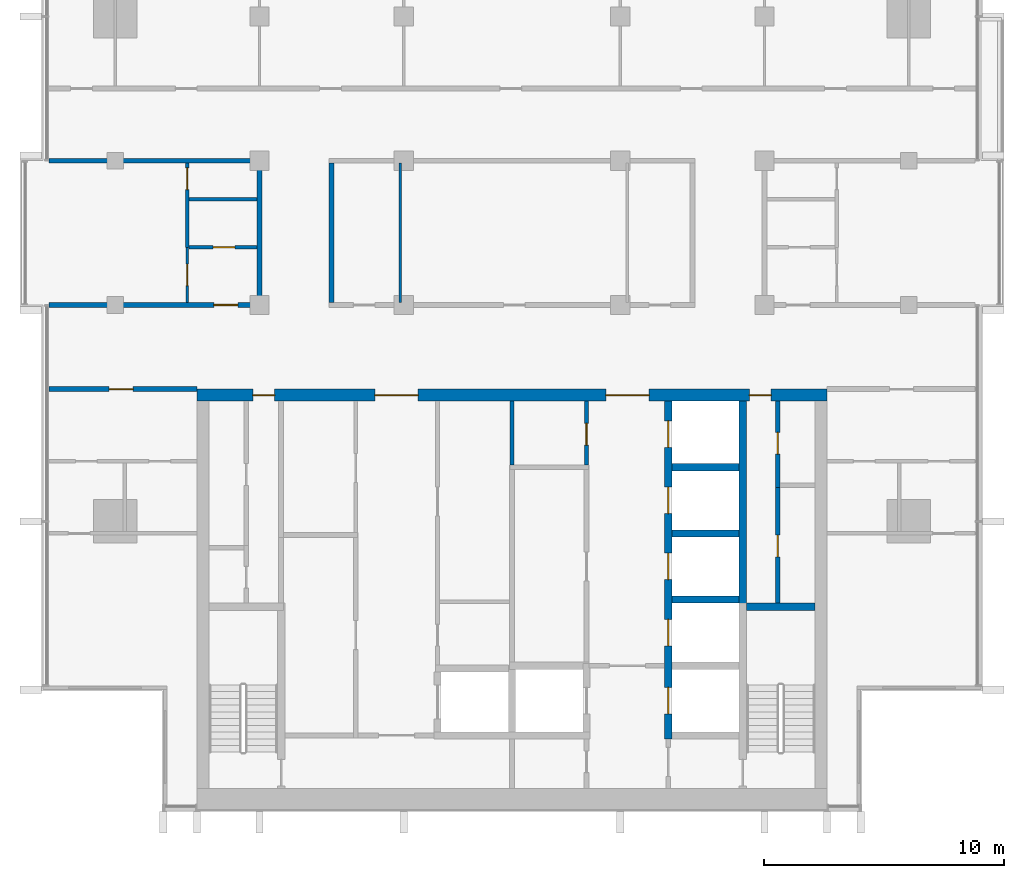
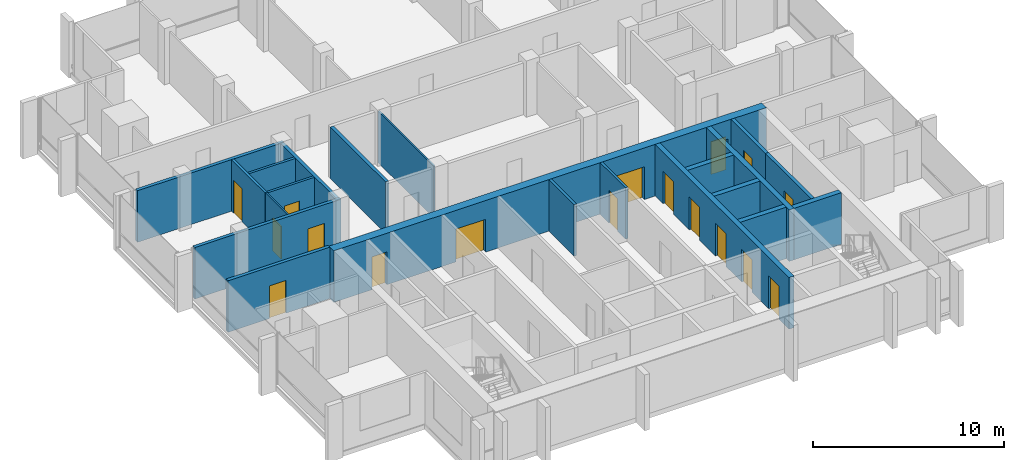
# One storey, part 8 of 15: 21 walls, 17 doors, 17 openings.
"""IFC4 building model written with IfcOpenShell, lengths in metres."""

from ifc_helpers import new_model, si_unit, direction, frame, frame_2d, origin, place, context, subcontext, project, spatial, rectangle, extrude, material, layer, layer_set, type_object, element, fill, save


model = new_model("IFC4")

# Units and contexts
model_context = context("Model", 3, precision=1e-05, world=origin(), true_north=direction((0.0, 1.0)))
body_context = subcontext(model_context, "Body", "Model", "MODEL_VIEW")
ifc_project = project(units=[si_unit("LENGTHUNIT", "METRE"), si_unit("AREAUNIT", "SQUARE_METRE"), si_unit("VOLUMEUNIT", "CUBIC_METRE"), si_unit("PLANEANGLEUNIT", "RADIAN"), si_unit("MASSUNIT", "GRAM", prefix="KILO")], contexts=[model_context])

# Site, building, storey
site_placement = place(None, origin())
site = spatial("IfcSite", under=ifc_project, at=site_placement, CompositionType="ELEMENT")
building_placement = place(site_placement, origin())
building = spatial("IfcBuilding", under=site, at=building_placement, Name="Finial Court Residences", CompositionType="ELEMENT")
storey_placement = place(building_placement, frame((0.0, 0.0, 273.5)))
storey = spatial("IfcBuildingStorey", under=building, at=storey_placement, Name="L69", CompositionType="ELEMENT", Elevation=273.5)

# Wall, openings, doors
ifc_material_1 = material(Name="Concrete C50/60", Category="concrete")
ifc_layer_1 = layer(ifc_material_1, 0.5)
ifc_layer_set_1 = layer_set([ifc_layer_1], Name="Core outer wall 500 Concrete C50/60")
wall_type_1 = type_object("IfcWallType", Name="Core outer wall 500 Concrete C50/60", PredefinedType="SHEAR", material=ifc_layer_set_1)
wall_1_placement = place(storey_placement, frame((-13.10009765625, -8.25, 0.0), z_axis=(0.0, 0.0, 1.0), x_axis=(1.0, 0.0, 0.0)))
wall_1 = element("IfcWall", 1, at=wall_1_placement, inside=storey, type_object=wall_type_1, Name="Core outer wall L69-02", PredefinedType="SHEAR", context=body_context, shape_type="SweptSolid", body=[
    extrude(rectangle(XDim=26.2001953125, YDim=0.5, at=frame_2d((13.10009765625, 0.0))), origin(), (0.0, 0.0, 1.0), 3.300048828125),
])
opening_1_placement = place(wall_1_placement, frame((7.39990234375, 0.0, 0.0)))
opening_1 = element("IfcOpeningElement", 2, at=opening_1_placement, cuts=wall_1, Name="Opening L69-C04", PredefinedType="OPENING", context=body_context, shape_type="SweptSolid", body=[
    extrude(rectangle(XDim=1.800048828125, YDim=2.10009765625, at=frame_2d((0.89990234375, 1.050048828125))), frame((0.0, 0.260009765625, 0.0), z_axis=(0.0, -1.0, 0.0), x_axis=(1.0, 0.0, 0.0)), (0.0, 0.0, 1.0), 0.52001953125),
])
opening_2_placement = place(wall_1_placement, frame((17.0, 0.0, 0.0)))
opening_2 = element("IfcOpeningElement", 3, at=opening_2_placement, cuts=wall_1, Name="Opening L69-C05", PredefinedType="OPENING", context=body_context, shape_type="SweptSolid", body=[
    extrude(rectangle(XDim=1.800048828125, YDim=2.10009765625, at=frame_2d((0.89990234375, 1.050048828125))), frame((0.0, 0.260009765625, 0.0), z_axis=(0.0, -1.0, 0.0), x_axis=(1.0, 0.0, 0.0)), (0.0, 0.0, 1.0), 0.52001953125),
])
opening_3_placement = place(wall_1_placement, frame((2.324951171875, 0.0, 0.0)))
opening_3 = element("IfcOpeningElement", 4, at=opening_3_placement, cuts=wall_1, Name="Opening L69-C11", PredefinedType="OPENING", context=body_context, shape_type="SweptSolid", body=[
    extrude(rectangle(XDim=0.89990234375, YDim=2.10009765625, at=frame_2d((0.449951171875, 1.050048828125))), frame((0.0, 0.260009765625, 0.0), z_axis=(0.0, -1.0, 0.0), x_axis=(1.0, 0.0, 0.0)), (0.0, 0.0, 1.0), 0.52001953125),
])
opening_4_placement = place(wall_1_placement, frame((22.97509765625, 0.0, 0.0)))
opening_4 = element("IfcOpeningElement", 5, at=opening_4_placement, cuts=wall_1, Name="Opening L69-C12", PredefinedType="OPENING", context=body_context, shape_type="SweptSolid", body=[
    extrude(rectangle(XDim=0.89990234375, YDim=2.10009765625, at=frame_2d((0.449951171875, 1.050048828125))), frame((0.0, 0.260009765625, 0.0), z_axis=(0.0, -1.0, 0.0), x_axis=(1.0, 0.0, 0.0)), (0.0, 0.0, 1.0), 0.52001953125),
])
ifc_material_2 = material(Name="Steel fire door", Category="steel")
door_type_1 = type_object("IfcDoorType", Name="Lift lobby door 1800 x 2100 EI 60", OperationType="DOUBLE_DOOR_SINGLE_SWING", PredefinedType="DOOR", material=ifc_material_2)
door_1_placement = place(opening_1_placement, origin())
door_1 = element("IfcDoor", 6, at=door_1_placement, inside=storey, type_object=door_type_1, Name="Lift lobby door L69-C04", OperationType="DOUBLE_DOOR_SINGLE_SWING", OverallHeight=2.10009765625, OverallWidth=1.800048828125, PredefinedType="DOOR", context=body_context, shape_type="SweptSolid", body=[
    extrude(rectangle(XDim=1.800048828125, YDim=2.10009765625, at=frame_2d((0.89990234375, 1.050048828125))), frame((0.0, 0.02490234375, 0.0), z_axis=(0.0, -1.0, 0.0), x_axis=(1.0, 0.0, 0.0)), (0.0, 0.0, 1.0), 0.050048828125),
])
fill(opening_1, door_1)
door_2_placement = place(opening_2_placement, origin())
door_2 = element("IfcDoor", 7, at=door_2_placement, inside=storey, type_object=door_type_1, Name="Lift lobby door L69-C05", OperationType="DOUBLE_DOOR_SINGLE_SWING", OverallHeight=2.10009765625, OverallWidth=1.800048828125, PredefinedType="DOOR", context=body_context, shape_type="SweptSolid", body=[
    extrude(rectangle(XDim=1.800048828125, YDim=2.10009765625, at=frame_2d((0.89990234375, 1.050048828125))), frame((0.0, 0.02490234375, 0.0), z_axis=(0.0, -1.0, 0.0), x_axis=(1.0, 0.0, 0.0)), (0.0, 0.0, 1.0), 0.050048828125),
])
fill(opening_2, door_2)
door_type_2 = type_object("IfcDoorType", Name="Riser room door 900 x 2100 EI 90", OperationType="NOTDEFINED", PredefinedType="DOOR", material=ifc_material_2)
door_3_placement = place(opening_3_placement, origin())
door_3 = element("IfcDoor", 8, at=door_3_placement, inside=storey, type_object=door_type_2, Name="Riser room door L69-C11", OperationType="SINGLE_SWING_RIGHT", OverallHeight=2.10009765625, OverallWidth=0.89990234375, PredefinedType="DOOR", context=body_context, shape_type="SweptSolid", body=[
    extrude(rectangle(XDim=0.89990234375, YDim=2.10009765625, at=frame_2d((0.449951171875, 1.050048828125))), frame((0.0, 0.02490234375, 0.0), z_axis=(0.0, -1.0, 0.0), x_axis=(1.0, 0.0, 0.0)), (0.0, 0.0, 1.0), 0.050048828125),
])
fill(opening_3, door_3)
door_4_placement = place(opening_4_placement, origin())
door_4 = element("IfcDoor", 9, at=door_4_placement, inside=storey, type_object=door_type_2, Name="Riser room door L69-C12", OperationType="SINGLE_SWING_LEFT", OverallHeight=2.10009765625, OverallWidth=0.89990234375, PredefinedType="DOOR", context=body_context, shape_type="SweptSolid", body=[
    extrude(rectangle(XDim=0.89990234375, YDim=2.10009765625, at=frame_2d((0.449951171875, 1.050048828125))), frame((0.0, 0.02490234375, 0.0), z_axis=(0.0, -1.0, 0.0), x_axis=(1.0, 0.0, 0.0)), (0.0, 0.0, 1.0), 0.050048828125),
])
fill(opening_4, door_4)

# Wall
ifc_material_3 = material(Name="Fire-rated gypsum board partition")
ifc_layer_2 = layer(ifc_material_3, 0.14990234375)
ifc_layer_set_2 = layer_set([ifc_layer_2], Name="Core room partition 150 EI 60")
wall_type_2 = type_object("IfcWallType", Name="Core room partition 150 EI 60", PredefinedType="PARTITIONING", material=ifc_layer_set_2)
wall_2_placement = place(storey_placement, frame((0.0, -11.14990234375, 0.0), z_axis=(0.0, 0.0, 1.0), x_axis=(0.0, 1.0, 0.0)))
element("IfcWall", 10, at=wall_2_placement, inside=storey, type_object=wall_type_2, Name="Core partition L69-31", PredefinedType="PARTITIONING", context=body_context, shape_type="SweptSolid", body=[
    extrude(rectangle(XDim=2.64990234375, YDim=0.14990234375, at=frame_2d((1.324951171875, 0.0))), origin(), (0.0, 0.0, 1.0), 3.300048828125),
])

# Wall, opening, door
wall_3_placement = place(storey_placement, frame((3.10009765625, -11.14990234375, 0.0), z_axis=(0.0, 0.0, 1.0), x_axis=(0.0, 1.0, 0.0)))
wall_3 = element("IfcWall", 11, at=wall_3_placement, inside=storey, type_object=wall_type_2, Name="Core partition L69-35", PredefinedType="PARTITIONING", context=body_context, shape_type="SweptSolid", body=[
    extrude(rectangle(XDim=2.64990234375, YDim=0.14990234375, at=frame_2d((1.324951171875, 0.0))), origin(), (0.0, 0.0, 1.0), 3.300048828125),
])
opening_5_placement = place(wall_3_placement, frame((0.824951171875, 0.0, 0.0)))
opening_5 = element("IfcOpeningElement", 12, at=opening_5_placement, cuts=wall_3, Name="Opening L69-C18", PredefinedType="OPENING", context=body_context, shape_type="SweptSolid", body=[
    extrude(rectangle(XDim=0.89990234375, YDim=2.10009765625, at=frame_2d((0.449951171875, 1.050048828125))), frame((0.0, 0.0849609375, 0.0), z_axis=(0.0, -1.0, 0.0), x_axis=(1.0, 0.0, 0.0)), (0.0, 0.0, 1.0), 0.169921875),
])
door_type_3 = type_object("IfcDoorType", Name="Core room door 900 x 2100 EI 60", OperationType="NOTDEFINED", PredefinedType="DOOR", material=ifc_material_2)
door_5_placement = place(opening_5_placement, origin())
door_5 = element("IfcDoor", 13, at=door_5_placement, inside=storey, type_object=door_type_3, Name="Core room door L69-C18", OperationType="SINGLE_SWING_LEFT", OverallHeight=2.10009765625, OverallWidth=0.89990234375, PredefinedType="DOOR", context=body_context, shape_type="SweptSolid", body=[
    extrude(rectangle(XDim=0.89990234375, YDim=2.10009765625, at=frame_2d((0.449951171875, 1.050048828125))), frame((0.0, 0.02490234375, 0.0), z_axis=(0.0, -1.0, 0.0), x_axis=(1.0, 0.0, 0.0)), (0.0, 0.0, 1.0), 0.050048828125),
])
fill(opening_5, door_5)

ifc_material_4 = material(Name="Gypsum board")
ifc_layer_3 = layer(ifc_material_4, 0.02490234375)
ifc_material_5 = material(Name="Acoustic mineral wool in double frame")
ifc_layer_4 = layer(ifc_material_5, 0.14990234375)
ifc_layer_5 = layer(ifc_material_4, 0.02490234375)
ifc_layer_set_3 = layer_set([ifc_layer_3, ifc_layer_4, ifc_layer_5], Name="Corridor wall 200, 1 hour")
wall_type_3 = type_object("IfcWallType", Name="Corridor wall 200, 1 hour", PredefinedType="PARTITIONING", material=ifc_layer_set_3)
wall_4_placement = place(storey_placement, frame((-19.262451171875, -8.0, 0.0), z_axis=(0.0, 0.0, 1.0), x_axis=(1.0, 0.0, 0.0)))
wall_4 = element("IfcWall", 14, at=wall_4_placement, inside=storey, type_object=wall_type_3, Name="Partition L69-004", PredefinedType="PARTITIONING", context=body_context, shape_type="SweptSolid", body=[
    extrude(rectangle(XDim=6.162353515625, YDim=0.199951171875, at=frame_2d((3.0810546875, 0.0))), origin(), (0.0, 0.0, 1.0), 3.300048828125),
])
opening_6_placement = place(wall_4_placement, frame((2.511962890625, 0.0, 0.0)))
opening_6 = element("IfcOpeningElement", 15, at=opening_6_placement, cuts=wall_4, Name="Opening L69-D007", PredefinedType="OPENING", context=body_context, shape_type="SweptSolid", body=[
    extrude(rectangle(XDim=1.0, YDim=2.10009765625, at=frame_2d((0.5, 1.050048828125))), frame((0.0, 0.10986328125, 0.0), z_axis=(0.0, -1.0, 0.0), x_axis=(1.0, 0.0, 0.0)), (0.0, 0.0, 1.0), 0.219970703125),
])
ifc_material_6 = material(Name="Timber door leaf in hollow metal frame", Category="wood")
door_type_4 = type_object("IfcDoorType", Name="Fire door set 1000 x 2100, 30 minutes", OperationType="SINGLE_SWING_LEFT", PredefinedType="DOOR", material=ifc_material_6)
door_6_placement = place(opening_6_placement, origin())
door_6 = element("IfcDoor", 16, at=door_6_placement, inside=storey, type_object=door_type_4, Name="Door L69-D007", OperationType="SINGLE_SWING_LEFT", OverallHeight=2.10009765625, OverallWidth=1.0, PredefinedType="DOOR", context=body_context, shape_type="SweptSolid", body=[
    extrude(rectangle(XDim=1.0, YDim=2.10009765625, at=frame_2d((0.5, 1.050048828125))), frame((0.0, 0.02490234375, 0.0), z_axis=(0.0, -1.0, 0.0), x_axis=(1.0, 0.0, 0.0)), (0.0, 0.0, 1.0), 0.050048828125),
])
fill(opening_6, door_6)

wall_5_placement = place(storey_placement, frame((-19.262451171875, -4.5, 0.0), z_axis=(0.0, 0.0, 1.0), x_axis=(1.0, 0.0, 0.0)))
wall_5 = element("IfcWall", 17, at=wall_5_placement, inside=storey, type_object=wall_type_3, Name="Partition L69-006", PredefinedType="PARTITIONING", context=body_context, shape_type="SweptSolid", body=[
    extrude(rectangle(XDim=8.862548828125, YDim=0.199951171875, at=frame_2d((4.43115234375, 0.0))), origin(), (0.0, 0.0, 1.0), 3.300048828125),
])
opening_7_placement = place(wall_5_placement, frame((6.862060546875, 0.0, 0.0)))
opening_7 = element("IfcOpeningElement", 18, at=opening_7_placement, cuts=wall_5, Name="Opening L69-D009", PredefinedType="OPENING", context=body_context, shape_type="SweptSolid", body=[
    extrude(rectangle(XDim=1.0, YDim=2.10009765625, at=frame_2d((0.5, 1.050048828125))), frame((0.0, 0.10986328125, 0.0), z_axis=(0.0, -1.0, 0.0), x_axis=(1.0, 0.0, 0.0)), (0.0, 0.0, 1.0), 0.219970703125),
])
door_7_placement = place(opening_7_placement, origin())
door_7 = element("IfcDoor", 19, at=door_7_placement, inside=storey, type_object=door_type_4, Name="Door L69-D009", OperationType="SINGLE_SWING_LEFT", OverallHeight=2.10009765625, OverallWidth=1.0, PredefinedType="DOOR", context=body_context, shape_type="SweptSolid", body=[
    extrude(rectangle(XDim=1.0, YDim=2.10009765625, at=frame_2d((0.5, 1.050048828125))), frame((0.0, 0.02490234375, 0.0), z_axis=(0.0, -1.0, 0.0), x_axis=(1.0, 0.0, 0.0)), (0.0, 0.0, 1.0), 0.050048828125),
])
fill(opening_7, door_7)

# Walls
wall_6_placement = place(storey_placement, frame((-19.262451171875, 1.5, 0.0), z_axis=(0.0, 0.0, 1.0), x_axis=(1.0, 0.0, 0.0)))
element("IfcWall", 20, at=wall_6_placement, inside=storey, type_object=wall_type_3, Name="Partition L69-013", PredefinedType="PARTITIONING", context=body_context, shape_type="SweptSolid", body=[
    extrude(rectangle(XDim=8.862548828125, YDim=0.199951171875, at=frame_2d((4.43115234375, 0.0))), origin(), (0.0, 0.0, 1.0), 3.300048828125),
])
for number, where, z_axis, x_axis, name in (
    (21, (-10.5, -4.39990234375, 0.0), (0.0, 0.0, 1.0), (0.0, 1.0, 0.0), "Partition L69-021"),
    (22, (-7.5, -4.39990234375, 0.0), (0.0, 0.0, 1.0), (0.0, 1.0, 0.0), "Partition L69-023"),
):
    element("IfcWall", number, at=place(storey_placement, frame(where, z_axis=z_axis, x_axis=x_axis)), inside=storey, type_object=wall_type_3, Name=name, PredefinedType="PARTITIONING", context=body_context, shape_type="SweptSolid", body=[
        extrude(rectangle(XDim=5.7998046875, YDim=0.199951171875, at=frame_2d((2.89990234375, 0.0))), origin(), (0.0, 0.0, 1.0), 3.300048828125),
    ])

# Wall, opening, door
ifc_layer_6 = layer(ifc_material_4, 0.012451171875)
ifc_material_7 = material(Name="Mineral wool in light-gauge frame")
ifc_layer_7 = layer(ifc_material_7, 0.074951171875)
ifc_layer_8 = layer(ifc_material_4, 0.012451171875)
ifc_layer_set_4 = layer_set([ifc_layer_6, ifc_layer_7, ifc_layer_8], Name="Gypsum board partition 100")
wall_type_4 = type_object("IfcWallType", Name="Gypsum board partition 100", PredefinedType="PARTITIONING", material=ifc_layer_set_4)
wall_7_placement = place(storey_placement, frame((-13.5, -4.39990234375, 0.0), z_axis=(0.0, 0.0, 1.0), x_axis=(0.0, 1.0, 0.0)))
wall_7 = element("IfcWall", 23, at=wall_7_placement, inside=storey, type_object=wall_type_4, Name="Partition L69-019", PredefinedType="PARTITIONING", context=body_context, shape_type="SweptSolid", body=[
    extrude(rectangle(XDim=2.2998046875, YDim=0.10009765625, at=frame_2d((1.14990234375, 0.0))), origin(), (0.0, 0.0, 1.0), 3.300048828125),
])
opening_8_placement = place(wall_7_placement, frame((0.699951171875, 0.0, 0.0)))
opening_8 = element("IfcOpeningElement", 24, at=opening_8_placement, cuts=wall_7, Name="Opening L69-D023", PredefinedType="OPENING", context=body_context, shape_type="SweptSolid", body=[
    extrude(rectangle(XDim=0.89990234375, YDim=2.10009765625, at=frame_2d((0.449951171875, 1.050048828125))), frame((0.0, 0.06005859375, 0.0), z_axis=(0.0, -1.0, 0.0), x_axis=(1.0, 0.0, 0.0)), (0.0, 0.0, 1.0), 0.1201171875),
])
ifc_material_8 = material(Name="Timber door leaf in timber frame", Category="wood")
door_type_5 = type_object("IfcDoorType", Name="Door set 900 x 2100", OperationType="SINGLE_SWING_LEFT", PredefinedType="DOOR", material=ifc_material_8)
door_8_placement = place(opening_8_placement, origin())
door_8 = element("IfcDoor", 25, at=door_8_placement, inside=storey, type_object=door_type_5, Name="Door L69-D023", OperationType="SINGLE_SWING_RIGHT", OverallHeight=2.10009765625, OverallWidth=0.89990234375, PredefinedType="DOOR", context=body_context, shape_type="SweptSolid", body=[
    extrude(rectangle(XDim=0.89990234375, YDim=2.10009765625, at=frame_2d((0.449951171875, 1.050048828125))), frame((0.0, 0.02490234375, 0.0), z_axis=(0.0, -1.0, 0.0), x_axis=(1.0, 0.0, 0.0)), (0.0, 0.0, 1.0), 0.050048828125),
])
fill(opening_8, door_8)

# Wall
wall_8_placement = place(storey_placement, frame((-4.64990234375, -4.39990234375, 0.0), z_axis=(0.0, 0.0, 1.0), x_axis=(0.0, 1.0, 0.0)))
element("IfcWall", 26, at=wall_8_placement, inside=storey, type_object=wall_type_4, Name="Partition L69-024", PredefinedType="PARTITIONING", context=body_context, shape_type="SweptSolid", body=[
    extrude(rectangle(XDim=5.7998046875, YDim=0.10009765625, at=frame_2d((2.89990234375, 0.0))), origin(), (0.0, 0.0, 1.0), 3.300048828125),
])

# Wall, opening, door
ifc_material_9 = material(Name="Moisture-resistant gypsum board")
ifc_layer_9 = layer(ifc_material_9, 0.012451171875)
ifc_layer_10 = layer(ifc_material_7, 0.125)
ifc_layer_11 = layer(ifc_material_9, 0.012451171875)
ifc_layer_set_5 = layer_set([ifc_layer_9, ifc_layer_10, ifc_layer_11], Name="Gypsum board wet-area partition 150")
wall_type_5 = type_object("IfcWallType", Name="Gypsum board wet-area partition 150", PredefinedType="PARTITIONING", material=ifc_layer_set_5)
wall_9_placement = place(storey_placement, frame((-13.425048828125, -2.10009765625, 0.0), z_axis=(0.0, 0.0, 1.0), x_axis=(1.0, 0.0, 0.0)))
wall_9 = element("IfcWall", 27, at=wall_9_placement, inside=storey, type_object=wall_type_5, Name="Partition L69-009", PredefinedType="PARTITIONING", context=body_context, shape_type="SweptSolid", body=[
    extrude(rectangle(XDim=2.824951171875, YDim=0.14990234375, at=frame_2d((1.41259765625, 0.0))), origin(), (0.0, 0.0, 1.0), 3.300048828125),
])
opening_9_placement = place(wall_9_placement, frame((1.0, 0.0, 0.0)))
opening_9 = element("IfcOpeningElement", 28, at=opening_9_placement, cuts=wall_9, Name="Opening L69-D014", PredefinedType="OPENING", context=body_context, shape_type="SweptSolid", body=[
    extrude(rectangle(XDim=0.89990234375, YDim=2.10009765625, at=frame_2d((0.449951171875, 1.050048828125))), frame((0.0, 0.0849609375, 0.0), z_axis=(0.0, -1.0, 0.0), x_axis=(1.0, 0.0, 0.0)), (0.0, 0.0, 1.0), 0.169921875),
])
door_9_placement = place(opening_9_placement, origin())
door_9 = element("IfcDoor", 29, at=door_9_placement, inside=storey, type_object=door_type_5, Name="Door L69-D014", OperationType="SINGLE_SWING_RIGHT", OverallHeight=2.10009765625, OverallWidth=0.89990234375, PredefinedType="DOOR", context=body_context, shape_type="SweptSolid", body=[
    extrude(rectangle(XDim=0.89990234375, YDim=2.10009765625, at=frame_2d((0.449951171875, 1.050048828125))), frame((0.0, 0.02490234375, 0.0), z_axis=(0.0, -1.0, 0.0), x_axis=(1.0, 0.0, 0.0)), (0.0, 0.0, 1.0), 0.050048828125),
])
fill(opening_9, door_9)

# Wall
wall_10_placement = place(storey_placement, frame((-13.425048828125, -0.10009765625, 0.0), z_axis=(0.0, 0.0, 1.0), x_axis=(1.0, 0.0, 0.0)))
element("IfcWall", 30, at=wall_10_placement, inside=storey, type_object=wall_type_5, Name="Partition L69-011", PredefinedType="PARTITIONING", context=body_context, shape_type="SweptSolid", body=[
    extrude(rectangle(XDim=2.824951171875, YDim=0.14990234375, at=frame_2d((1.41259765625, 0.0))), origin(), (0.0, 0.0, 1.0), 3.300048828125),
])

# Wall, opening, door
wall_11_placement = place(storey_placement, frame((-13.5, -2.10009765625, 0.0), z_axis=(0.0, 0.0, 1.0), x_axis=(0.0, 1.0, 0.0)))
wall_11 = element("IfcWall", 31, at=wall_11_placement, inside=storey, type_object=wall_type_5, Name="Partition L69-020", PredefinedType="PARTITIONING", context=body_context, shape_type="SweptSolid", body=[
    extrude(rectangle(XDim=3.5, YDim=0.14990234375, at=frame_2d((1.75, 0.0))), origin(), (0.0, 0.0, 1.0), 3.300048828125),
])
opening_10_placement = place(wall_11_placement, frame((2.39990234375, 0.0, 0.0)))
opening_10 = element("IfcOpeningElement", 32, at=opening_10_placement, cuts=wall_11, Name="Opening L69-D024", PredefinedType="OPENING", context=body_context, shape_type="SweptSolid", body=[
    extrude(rectangle(XDim=0.89990234375, YDim=2.10009765625, at=frame_2d((0.449951171875, 1.050048828125))), frame((0.0, 0.0849609375, 0.0), z_axis=(0.0, -1.0, 0.0), x_axis=(1.0, 0.0, 0.0)), (0.0, 0.0, 1.0), 0.169921875),
])
door_10_placement = place(opening_10_placement, origin())
door_10 = element("IfcDoor", 33, at=door_10_placement, inside=storey, type_object=door_type_5, Name="Door L69-D024", OperationType="SINGLE_SWING_RIGHT", OverallHeight=2.10009765625, OverallWidth=0.89990234375, PredefinedType="DOOR", context=body_context, shape_type="SweptSolid", body=[
    extrude(rectangle(XDim=0.89990234375, YDim=2.10009765625, at=frame_2d((0.449951171875, 1.050048828125))), frame((0.0, 0.02490234375, 0.0), z_axis=(0.0, -1.0, 0.0), x_axis=(1.0, 0.0, 0.0)), (0.0, 0.0, 1.0), 0.050048828125),
])
fill(opening_10, door_10)

# Walls
ifc_layer_12 = layer(ifc_material_1, 0.300048828125)
ifc_layer_set_6 = layer_set([ifc_layer_12], Name="Lift shaft and stair wall 300 Concrete C50/60")
wall_type_6 = type_object("IfcWallType", Name="Lift shaft and stair wall 300 Concrete C50/60", PredefinedType="SHEAR", material=ifc_layer_set_6)
wall_12_placement = place(storey_placement, frame((9.75, -17.050048828125, 0.0), z_axis=(0.0, 0.0, 1.0), x_axis=(1.0, 0.0, 0.0)))
element("IfcWall", 34, at=wall_12_placement, inside=storey, type_object=wall_type_6, Name="Core wall L69-10", PredefinedType="SHEAR", context=body_context, shape_type="SweptSolid", body=[
    extrude(rectangle(XDim=2.85009765625, YDim=0.300048828125, at=frame_2d((1.425048828125, 0.0))), origin(), (0.0, 0.0, 1.0), 3.300048828125),
])
for number, where, z_axis, x_axis, name in (
    (35, (6.64990234375, -16.75, 0.0), (0.0, 0.0, 1.0), (1.0, 0.0, 0.0), "Core wall L69-12"),
    (36, (6.64990234375, -14.0, 0.0), (0.0, 0.0, 1.0), (1.0, 0.0, 0.0), "Core wall L69-15"),
    (37, (6.64990234375, -11.25, 0.0), (0.0, 0.0, 1.0), (1.0, 0.0, 0.0), "Core wall L69-18"),
):
    element("IfcWall", number, at=place(storey_placement, frame(where, z_axis=z_axis, x_axis=x_axis)), inside=storey, type_object=wall_type_6, Name=name, PredefinedType="SHEAR", context=body_context, shape_type="SweptSolid", body=[
        extrude(rectangle(XDim=2.800048828125, YDim=0.300048828125, at=frame_2d((1.39990234375, 0.0))), origin(), (0.0, 0.0, 1.0), 3.300048828125),
    ])

# Wall, openings, doors
wall_13_placement = place(storey_placement, frame((6.5, -22.550048828125, 0.0), z_axis=(0.0, 0.0, 1.0), x_axis=(0.0, 1.0, 0.0)))
wall_13 = element("IfcWall", 38, at=wall_13_placement, inside=storey, type_object=wall_type_6, Name="Core wall L69-37", PredefinedType="SHEAR", context=body_context, shape_type="SweptSolid", body=[
    extrude(rectangle(XDim=14.050048828125, YDim=0.300048828125, at=frame_2d((7.02490234375, 0.0))), origin(), (0.0, 0.0, 1.0), 3.300048828125),
])
opening_11_placement = place(wall_13_placement, frame((1.050048828125, 0.0, 0.0)))
opening_11 = element("IfcOpeningElement", 39, at=opening_11_placement, cuts=wall_13, Name="Opening L69-LD02", PredefinedType="OPENING", context=body_context, shape_type="SweptSolid", body=[
    extrude(rectangle(XDim=1.10009765625, YDim=2.10009765625, at=frame_2d((0.550048828125, 1.050048828125))), frame((0.0, 0.159912109375, 0.0), z_axis=(0.0, -1.0, 0.0), x_axis=(1.0, 0.0, 0.0)), (0.0, 0.0, 1.0), 0.320068359375),
])
opening_12_placement = place(wall_13_placement, frame((3.875, 0.0, 0.0)))
opening_12 = element("IfcOpeningElement", 40, at=opening_12_placement, cuts=wall_13, Name="Opening L69-LD03", PredefinedType="OPENING", context=body_context, shape_type="SweptSolid", body=[
    extrude(rectangle(XDim=1.10009765625, YDim=2.10009765625, at=frame_2d((0.550048828125, 1.050048828125))), frame((0.0, 0.159912109375, 0.0), z_axis=(0.0, -1.0, 0.0), x_axis=(1.0, 0.0, 0.0)), (0.0, 0.0, 1.0), 0.320068359375),
])
opening_13_placement = place(wall_13_placement, frame((6.625, 0.0, 0.0)))
opening_13 = element("IfcOpeningElement", 41, at=opening_13_placement, cuts=wall_13, Name="Opening L69-LD04", PredefinedType="OPENING", context=body_context, shape_type="SweptSolid", body=[
    extrude(rectangle(XDim=1.10009765625, YDim=2.10009765625, at=frame_2d((0.550048828125, 1.050048828125))), frame((0.0, 0.159912109375, 0.0), z_axis=(0.0, -1.0, 0.0), x_axis=(1.0, 0.0, 0.0)), (0.0, 0.0, 1.0), 0.320068359375),
])
opening_14_placement = place(wall_13_placement, frame((9.375, 0.0, 0.0)))
opening_14 = element("IfcOpeningElement", 42, at=opening_14_placement, cuts=wall_13, Name="Opening L69-LD05", PredefinedType="OPENING", context=body_context, shape_type="SweptSolid", body=[
    extrude(rectangle(XDim=1.10009765625, YDim=2.10009765625, at=frame_2d((0.550048828125, 1.050048828125))), frame((0.0, 0.159912109375, 0.0), z_axis=(0.0, -1.0, 0.0), x_axis=(1.0, 0.0, 0.0)), (0.0, 0.0, 1.0), 0.320068359375),
])
opening_15_placement = place(wall_13_placement, frame((12.125, 0.0, 0.0)))
opening_15 = element("IfcOpeningElement", 43, at=opening_15_placement, cuts=wall_13, Name="Opening L69-LD06", PredefinedType="OPENING", context=body_context, shape_type="SweptSolid", body=[
    extrude(rectangle(XDim=1.10009765625, YDim=2.10009765625, at=frame_2d((0.550048828125, 1.050048828125))), frame((0.0, 0.159912109375, 0.0), z_axis=(0.0, -1.0, 0.0), x_axis=(1.0, 0.0, 0.0)), (0.0, 0.0, 1.0), 0.320068359375),
])
ifc_material_10 = material(Name="Stainless steel lift door", Category="steel")
door_type_6 = type_object("IfcDoorType", Name="Lift landing door 1100 x 2100 EI 90", OperationType="DOUBLE_DOOR_SLIDING", PredefinedType="DOOR", material=ifc_material_10)
door_11_placement = place(opening_11_placement, origin())
door_11 = element("IfcDoor", 44, at=door_11_placement, inside=storey, type_object=door_type_6, Name="Lift landing door FF2 L69", OperationType="DOUBLE_DOOR_SLIDING", OverallHeight=2.10009765625, OverallWidth=1.10009765625, PredefinedType="DOOR", context=body_context, shape_type="SweptSolid", body=[
    extrude(rectangle(XDim=1.10009765625, YDim=2.10009765625, at=frame_2d((0.550048828125, 1.050048828125))), frame((0.0, 0.02490234375, 0.0), z_axis=(0.0, -1.0, 0.0), x_axis=(1.0, 0.0, 0.0)), (0.0, 0.0, 1.0), 0.050048828125),
])
fill(opening_11, door_11)
door_12_placement = place(opening_12_placement, origin())
door_12 = element("IfcDoor", 45, at=door_12_placement, inside=storey, type_object=door_type_6, Name="Lift landing door HR5 L69", OperationType="DOUBLE_DOOR_SLIDING", OverallHeight=2.10009765625, OverallWidth=1.10009765625, PredefinedType="DOOR", context=body_context, shape_type="SweptSolid", body=[
    extrude(rectangle(XDim=1.10009765625, YDim=2.10009765625, at=frame_2d((0.550048828125, 1.050048828125))), frame((0.0, 0.02490234375, 0.0), z_axis=(0.0, -1.0, 0.0), x_axis=(1.0, 0.0, 0.0)), (0.0, 0.0, 1.0), 0.050048828125),
])
fill(opening_12, door_12)
door_13_placement = place(opening_13_placement, origin())
door_13 = element("IfcDoor", 46, at=door_13_placement, inside=storey, type_object=door_type_6, Name="Lift landing door HR6 L69", OperationType="DOUBLE_DOOR_SLIDING", OverallHeight=2.10009765625, OverallWidth=1.10009765625, PredefinedType="DOOR", context=body_context, shape_type="SweptSolid", body=[
    extrude(rectangle(XDim=1.10009765625, YDim=2.10009765625, at=frame_2d((0.550048828125, 1.050048828125))), frame((0.0, 0.02490234375, 0.0), z_axis=(0.0, -1.0, 0.0), x_axis=(1.0, 0.0, 0.0)), (0.0, 0.0, 1.0), 0.050048828125),
])
fill(opening_13, door_13)
door_14_placement = place(opening_14_placement, origin())
door_14 = element("IfcDoor", 47, at=door_14_placement, inside=storey, type_object=door_type_6, Name="Lift landing door HR7 L69", OperationType="DOUBLE_DOOR_SLIDING", OverallHeight=2.10009765625, OverallWidth=1.10009765625, PredefinedType="DOOR", context=body_context, shape_type="SweptSolid", body=[
    extrude(rectangle(XDim=1.10009765625, YDim=2.10009765625, at=frame_2d((0.550048828125, 1.050048828125))), frame((0.0, 0.02490234375, 0.0), z_axis=(0.0, -1.0, 0.0), x_axis=(1.0, 0.0, 0.0)), (0.0, 0.0, 1.0), 0.050048828125),
])
fill(opening_14, door_14)
door_15_placement = place(opening_15_placement, origin())
door_15 = element("IfcDoor", 48, at=door_15_placement, inside=storey, type_object=door_type_6, Name="Lift landing door HR8 L69", OperationType="DOUBLE_DOOR_SLIDING", OverallHeight=2.10009765625, OverallWidth=1.10009765625, PredefinedType="DOOR", context=body_context, shape_type="SweptSolid", body=[
    extrude(rectangle(XDim=1.10009765625, YDim=2.10009765625, at=frame_2d((0.550048828125, 1.050048828125))), frame((0.0, 0.02490234375, 0.0), z_axis=(0.0, -1.0, 0.0), x_axis=(1.0, 0.0, 0.0)), (0.0, 0.0, 1.0), 0.050048828125),
])
fill(opening_15, door_15)

# Wall
wall_14_placement = place(storey_placement, frame((9.60009765625, -17.199951171875, 0.0), z_axis=(0.0, 0.0, 1.0), x_axis=(0.0, 1.0, 0.0)))
element("IfcWall", 49, at=wall_14_placement, inside=storey, type_object=wall_type_6, Name="Core wall L69-39", PredefinedType="SHEAR", context=body_context, shape_type="SweptSolid", body=[
    extrude(rectangle(XDim=8.699951171875, YDim=0.300048828125, at=frame_2d((4.35009765625, 0.0))), origin(), (0.0, 0.0, 1.0), 3.300048828125),
])

# Wall, opening, door
ifc_layer_13 = layer(ifc_material_3, 0.199951171875)
ifc_layer_set_7 = layer_set([ifc_layer_13], Name="Riser room wall 200 EI 120")
wall_type_7 = type_object("IfcWallType", Name="Riser room wall 200 EI 120", PredefinedType="PARTITIONING", material=ifc_layer_set_7)
wall_15_placement = place(storey_placement, frame((11.050048828125, -8.5, 0.0), z_axis=(0.0, 0.0, 1.0), x_axis=(0.0, -1.0, 0.0)))
wall_15 = element("IfcWall", 50, at=wall_15_placement, inside=storey, type_object=wall_type_7, Name="Core partition L69-41", PredefinedType="PARTITIONING", context=body_context, shape_type="SweptSolid", body=[
    extrude(rectangle(XDim=3.60009765625, YDim=0.199951171875, at=frame_2d((1.800048828125, 0.0))), origin(), (0.0, 0.0, 1.0), 3.300048828125),
])
opening_16_placement = place(wall_15_placement, frame((1.300048828125, 0.0, 0.0)))
opening_16 = element("IfcOpeningElement", 51, at=opening_16_placement, cuts=wall_15, Name="Opening L69-C08", PredefinedType="OPENING", context=body_context, shape_type="SweptSolid", body=[
    extrude(rectangle(XDim=0.89990234375, YDim=2.10009765625, at=frame_2d((0.449951171875, 1.050048828125))), frame((0.0, 0.10986328125, 0.0), z_axis=(0.0, -1.0, 0.0), x_axis=(1.0, 0.0, 0.0)), (0.0, 0.0, 1.0), 0.219970703125),
])
door_16_placement = place(opening_16_placement, origin())
door_16 = element("IfcDoor", 52, at=door_16_placement, inside=storey, type_object=door_type_2, Name="Riser room door L69-C08", OperationType="SINGLE_SWING_RIGHT", OverallHeight=2.10009765625, OverallWidth=0.89990234375, PredefinedType="DOOR", context=body_context, shape_type="SweptSolid", body=[
    extrude(rectangle(XDim=0.89990234375, YDim=2.10009765625, at=frame_2d((0.449951171875, 1.050048828125))), frame((0.0, 0.02490234375, 0.0), z_axis=(0.0, -1.0, 0.0), x_axis=(1.0, 0.0, 0.0)), (0.0, 0.0, 1.0), 0.050048828125),
])
fill(opening_16, door_16)

ifc_layer_14 = layer(ifc_material_3, 0.199951171875)
ifc_layer_set_8 = layer_set([ifc_layer_14], Name="Stair passage wall 200 EI 180")
wall_type_8 = type_object("IfcWallType", Name="Stair passage wall 200 EI 180", PredefinedType="PARTITIONING", material=ifc_layer_set_8)
wall_16_placement = place(storey_placement, frame((11.050048828125, -11.89990234375, 0.0), z_axis=(0.0, 0.0, 1.0), x_axis=(0.0, -1.0, 0.0)))
wall_16 = element("IfcWall", 53, at=wall_16_placement, inside=storey, type_object=wall_type_8, Name="Core partition L69-40", PredefinedType="PARTITIONING", context=body_context, shape_type="SweptSolid", body=[
    extrude(rectangle(XDim=5.0, YDim=0.199951171875, at=frame_2d((2.5, 0.0))), origin(), (0.0, 0.0, 1.0), 3.300048828125),
])
opening_17_placement = place(wall_16_placement, frame((2.175048828125, 0.0, 0.0)))
opening_17 = element("IfcOpeningElement", 54, at=opening_17_placement, cuts=wall_16, Name="Opening L69-C14", PredefinedType="OPENING", context=body_context, shape_type="SweptSolid", body=[
    extrude(rectangle(XDim=0.89990234375, YDim=2.10009765625, at=frame_2d((0.449951171875, 1.050048828125))), frame((0.0, 0.10986328125, 0.0), z_axis=(0.0, -1.0, 0.0), x_axis=(1.0, 0.0, 0.0)), (0.0, 0.0, 1.0), 0.219970703125),
])
door_17_placement = place(opening_17_placement, origin())
door_17 = element("IfcDoor", 55, at=door_17_placement, inside=storey, type_object=door_type_3, Name="Core room door L69-C14", OperationType="SINGLE_SWING_RIGHT", OverallHeight=2.10009765625, OverallWidth=0.89990234375, PredefinedType="DOOR", context=body_context, shape_type="SweptSolid", body=[
    extrude(rectangle(XDim=0.89990234375, YDim=2.10009765625, at=frame_2d((0.449951171875, 1.050048828125))), frame((0.0, 0.02490234375, 0.0), z_axis=(0.0, -1.0, 0.0), x_axis=(1.0, 0.0, 0.0)), (0.0, 0.0, 1.0), 0.050048828125),
])
fill(opening_17, door_17)

save(model, "model.ifc")
